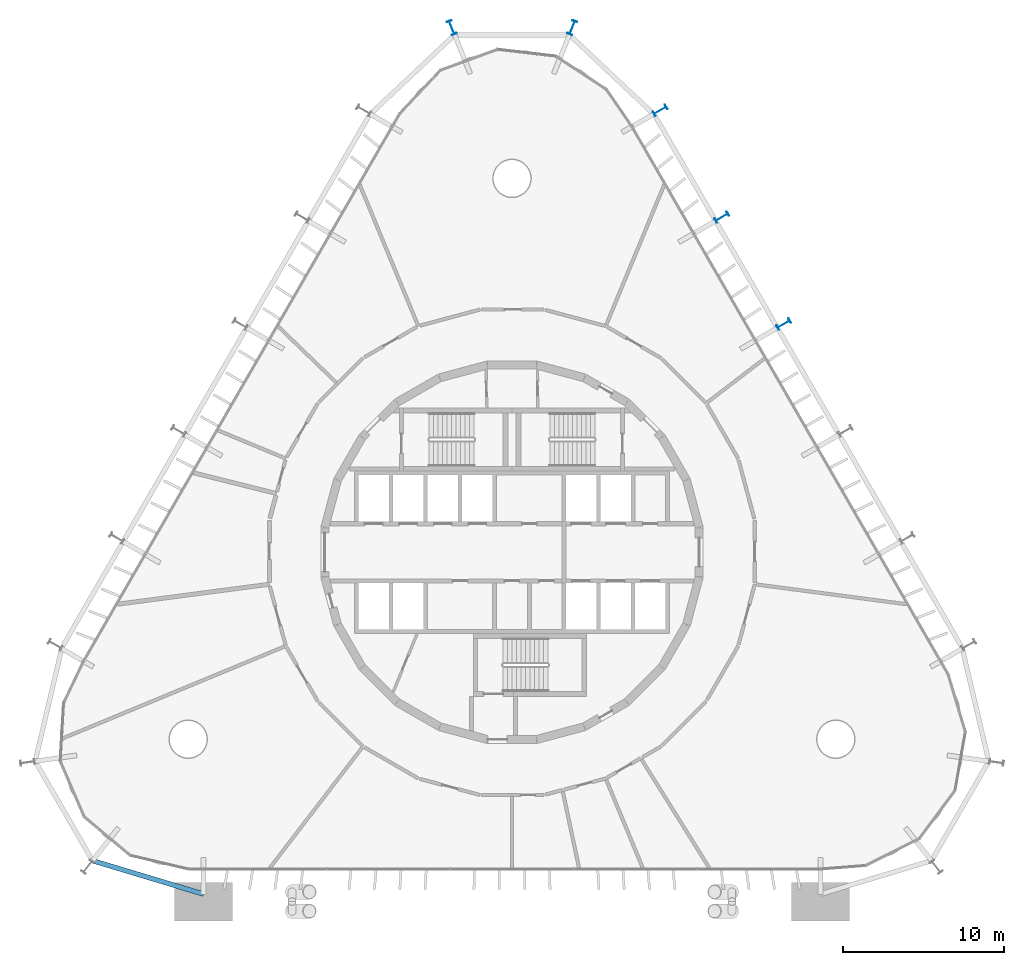
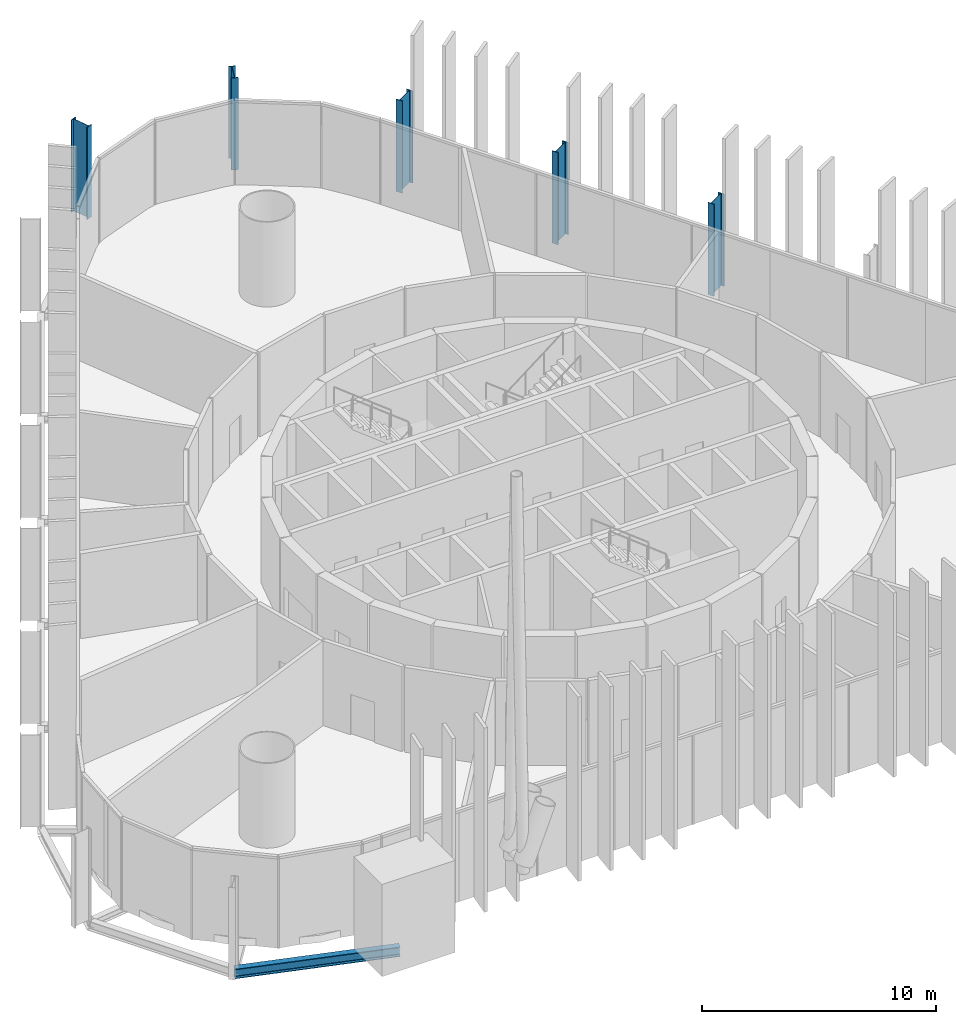
# One storey, part 2 of 18: 5 columns, 1 beam.
"""IFC4 building model written with IfcOpenShell, lengths in metres."""

from ifc_helpers import new_model, si_unit, direction, frame, origin, origin_2d, place, context, subcontext, project, spatial, i_section, extrude, material, material_profile, profile_set, type_object, element, save


model = new_model("IFC4")

# Units and contexts
model_context = context("Model", 3, precision=1e-05, world=origin(), true_north=direction((0.0, 1.0)))
body_context = subcontext(model_context, "Body", "Model", "MODEL_VIEW")
ifc_project = project(units=[si_unit("LENGTHUNIT", "METRE"), si_unit("AREAUNIT", "SQUARE_METRE"), si_unit("VOLUMEUNIT", "CUBIC_METRE"), si_unit("PLANEANGLEUNIT", "RADIAN"), si_unit("MASSUNIT", "GRAM", prefix="KILO")], contexts=[model_context])

# Site, building, storey
site_placement = place(None, origin())
site = spatial("IfcSite", under=ifc_project, at=site_placement, CompositionType="ELEMENT")
building_placement = place(site_placement, origin())
building = spatial("IfcBuilding", under=site, at=building_placement, Name="Spindle Arch Residences", CompositionType="ELEMENT")
storey_placement = place(building_placement, frame((0.0, 0.0, 9.0)))
storey = spatial("IfcBuildingStorey", under=building, at=storey_placement, Name="L01", CompositionType="ELEMENT", Elevation=9.0)

# Columns
ifc_material_1 = material(Name="Steel S460ML, intumescent coating R 240", Category="steel")
ifc_material_profile_1 = material_profile(ifc_material_1, i_section(OverallWidth=0.300048828125, OverallDepth=0.89990234375, WebThickness=0.0185546875, FlangeThickness=0.034912109375, FilletRadius=0.030029296875, at=origin_2d()), Name="HEB 900")
ifc_profile_set_1 = profile_set([ifc_material_profile_1], Name="Steel S460ML, intumescent coating R 240")
column_type = type_object("IfcColumnType", Name="Exoskeleton post HEB 900", PredefinedType="COLUMN", material=ifc_profile_set_1)
for number, where, z_axis, x_axis, name in (
    (1, (16.898681640625, 14.1904296875, -0.3798828125), (0.0, 0.0, 1.0), (0.50000017485, -0.866025302835, 0.0), "Exoskeleton post 9"),
    (2, (13.05859375, 20.841796875, -0.3798828125), (0.0, 0.0, 1.0), (0.50000017485, -0.866025302835, 0.0), "Exoskeleton post 10"),
    (3, (9.218505859375, 27.492919921875, -0.3798828125), (0.0, 0.0, 1.0), (0.50000017485, -0.866025302835, 0.0), "Exoskeleton post 11"),
    (4, (3.748291015625, 32.638671875, -0.3798828125), (0.0, 0.0, 1.0), (0.928589751246, -0.371107900591, 0.0), "Exoskeleton post 12"),
    (5, (-3.748291015625, 32.638671875, -0.3798828125), (0.0, 0.0, 1.0), (0.928589751246, 0.371107900591, 0.0), "Exoskeleton post 13"),
):
    element("IfcColumn", number, at=place(storey_placement, frame(where, z_axis=z_axis, x_axis=x_axis)), inside=storey, type_object=column_type, Name=name, PredefinedType="COLUMN", context=body_context, shape_type="SweptSolid", body=[
        extrude(i_section(OverallWidth=0.300048828125, OverallDepth=0.89990234375, WebThickness=0.0185546875, FlangeThickness=0.034912109375, FilletRadius=0.030029296875, at=origin_2d()), origin(), (0.0, 0.0, 1.0), 4.7998046875),
    ])

# Beam
ifc_material_2 = material(Name="Steel S460ML, intumescent coating R 120", Category="steel")
ifc_material_profile_2 = material_profile(ifc_material_2, i_section(OverallWidth=0.300048828125, OverallDepth=0.5, WebThickness=0.014404296875, FlangeThickness=0.028076171875, FilletRadius=0.027099609375, at=origin_2d()), Name="HEB 500")
ifc_profile_set_2 = profile_set([ifc_material_profile_2], Name="Steel S460ML, intumescent coating R 120")
beam_type = type_object("IfcBeamType", Name="Exoskeleton edge beam HEB 500", PredefinedType="BEAM", material=ifc_profile_set_2)
beam_placement = place(storey_placement, frame((-26.119873046875, -19.177490234375, -0.6298828125), z_axis=(0.957564526429, -0.288218975303, 0.0), x_axis=(0.288218975303, 0.957564526429, 0.0)))
element("IfcBeam", 6, at=beam_placement, inside=storey, type_object=beam_type, Name="Exoskeleton edge beam 21", PredefinedType="BEAM", context=body_context, shape_type="SweptSolid", body=[
    extrude(i_section(OverallWidth=0.300048828125, OverallDepth=0.5, WebThickness=0.014404296875, FlangeThickness=0.028076171875, FilletRadius=0.027099609375, at=origin_2d()), origin(), (0.0, 0.0, 1.0), 7.25),
])

save(model, "model.ifc")
